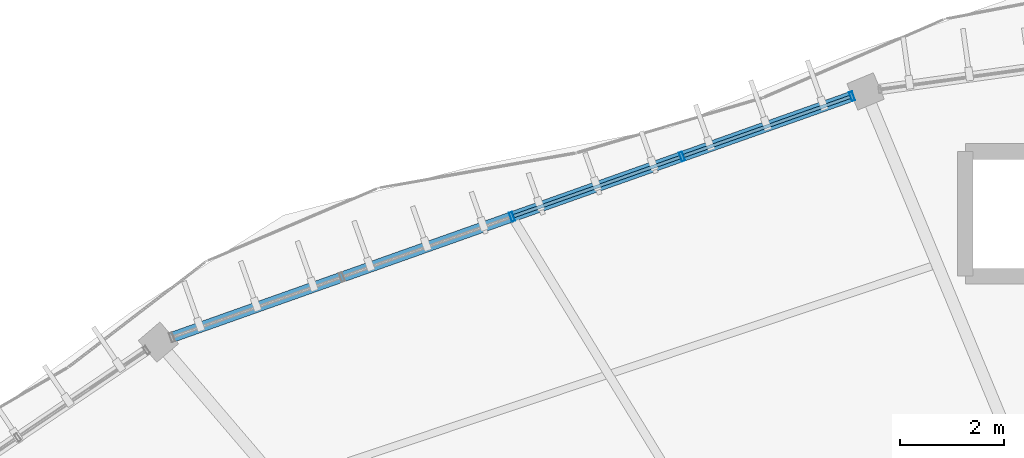
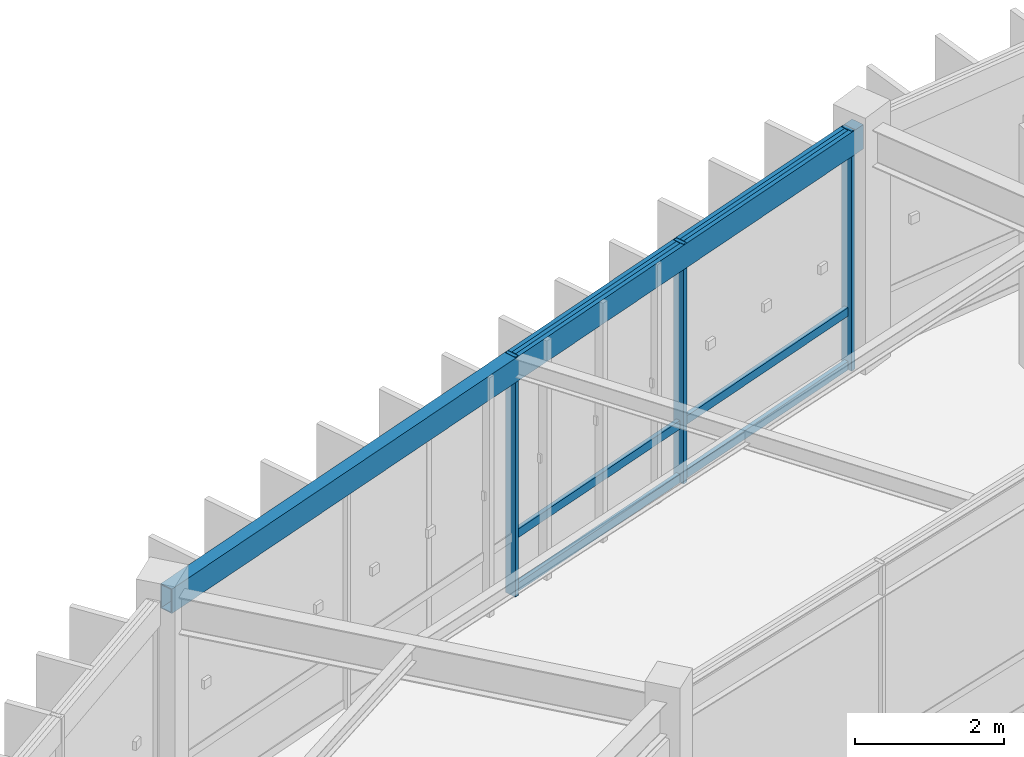
# One storey, part 32 of 79: 9 members, 1 beam, 1 element without a shape of its own.
"""IFC4 building model written with IfcOpenShell, lengths in metres."""

from ifc_helpers import new_model, si_unit, direction, frame, origin, origin_2d, place, context, subcontext, project, spatial, hollow_rectangle, extrude, material, material_profile, profile_set, type_object, element, aggregate, save


model = new_model("IFC4")

# Units and contexts
model_context = context("Model", 3, precision=1e-05, world=origin(), true_north=direction((0.0, 1.0)))
body_context = subcontext(model_context, "Body", "Model", "MODEL_VIEW")
ifc_project = project(units=[si_unit("LENGTHUNIT", "METRE"), si_unit("AREAUNIT", "SQUARE_METRE"), si_unit("VOLUMEUNIT", "CUBIC_METRE"), si_unit("PLANEANGLEUNIT", "RADIAN"), si_unit("MASSUNIT", "GRAM", prefix="KILO"), si_unit("THERMODYNAMICTEMPERATUREUNIT", "KELVIN"), si_unit("POWERUNIT", "WATT")], contexts=[model_context])

# Site, building, storey
site_placement = place(None, origin())
site = spatial("IfcSite", under=ifc_project, at=site_placement, CompositionType="ELEMENT")
building_placement = place(site_placement, origin())
building = spatial("IfcBuilding", under=site, at=building_placement, Name="Darbajah Civic Hall", CompositionType="ELEMENT")
storey_placement = place(building_placement, frame((0.0, 0.0, 22.199951171875)))
storey = spatial("IfcBuildingStorey", under=building, at=storey_placement, Name="L05", CompositionType="ELEMENT", Elevation=22.199951171875)

# Curtain wall, members
ifc_material_1 = material(Name="Anodised Bronze Aluminium and Low-E Glazing", Category="aluminium")
curtain_wall_type = type_object("IfcCurtainWallType", Name="Unitised Curtain Wall CW-80 13900x3900", PredefinedType="USERDEFINED", material=ifc_material_1)
curtain_wall_placement = place(storey_placement, origin())
curtain_wall = element("IfcCurtainWall", 1, at=curtain_wall_placement, inside=storey, type_object=curtain_wall_type, Name="L05 unitised curtain wall CW-V1O-L05-06", ObjectType="UNITISED CURTAIN WALL", PredefinedType="USERDEFINED")
ifc_material_2 = material(Name="Anodised Bronze Aluminium", Category="aluminium")
ifc_material_profile_1 = material_profile(ifc_material_2, hollow_rectangle(XDim=0.06494140625, YDim=0.179931640625, WallThickness=0.00390625, at=origin_2d()), Name="ALU MULLION 65x180")
ifc_profile_set_1 = profile_set([ifc_material_profile_1], Name="Anodised Bronze Aluminium")
member_type_1 = type_object("IfcMemberType", Name="ALU MULLION 65x180", PredefinedType="MULLION", material=ifc_profile_set_1)
member_1_placement = place(storey_placement, frame((69.322021484375, 116.9619140625, 0.0), z_axis=(0.0, 0.0, 1.0), x_axis=(-0.94252491309, -0.334135882844, 0.0)))
member_1 = element("IfcMember", 2, at=member_1_placement, type_object=member_type_1, Name="CW-V1O-L05-06 mullion 1", PredefinedType="MULLION", context=body_context, shape_type="SweptSolid", body=[
    extrude(hollow_rectangle(XDim=0.06494140625, YDim=0.179931640625, WallThickness=0.00390625, at=origin_2d()), origin(), (0.0, 0.0, 1.0), 3.920166015625),
])
member_2_placement = place(storey_placement, frame((66.05126953125, 115.802490234375, 0.0), z_axis=(0.0, 0.0, 1.0), x_axis=(-0.94252491309, -0.334135882844, 0.0)))
member_2 = element("IfcMember", 3, at=member_2_placement, type_object=member_type_1, Name="CW-V1O-L05-06 mullion 2", PredefinedType="MULLION", context=body_context, shape_type="SweptSolid", body=[
    extrude(hollow_rectangle(XDim=0.06494140625, YDim=0.179931640625, WallThickness=0.00390625, at=origin_2d()), origin(), (0.0, 0.0, 1.0), 3.920166015625),
])
member_3_placement = place(storey_placement, frame((62.780517578125, 114.643310546875, 0.0), z_axis=(0.0, 0.0, 1.0), x_axis=(-0.94252491309, -0.334135882844, 0.0)))
member_3 = element("IfcMember", 4, at=member_3_placement, type_object=member_type_1, Name="CW-V1O-L05-06 mullion 3", PredefinedType="MULLION", context=body_context, shape_type="SweptSolid", body=[
    extrude(hollow_rectangle(XDim=0.06494140625, YDim=0.179931640625, WallThickness=0.00390625, at=origin_2d()), origin(), (0.0, 0.0, 1.0), 3.920166015625),
])
ifc_material_profile_2 = material_profile(ifc_material_2, hollow_rectangle(XDim=0.06494140625, YDim=0.139892578125, WallThickness=0.00341796875, at=origin_2d()), Name="ALU TRANSOM 65x140")
ifc_profile_set_2 = profile_set([ifc_material_profile_2], Name="Anodised Bronze Aluminium")
member_type_2 = type_object("IfcMemberType", Name="ALU TRANSOM 65x140", PredefinedType="USERDEFINED", material=ifc_profile_set_2)
member_4_placement = place(storey_placement, frame((69.28662109375, 116.949462890625, 0.070068359375), z_axis=(-0.942538086228, -0.334098721951, 0.0), x_axis=(0.334098721951, -0.942538086228, 0.0)))
member_4 = element("IfcMember", 5, at=member_4_placement, type_object=member_type_2, Name="CW-V1O-L05-06 transom 1.1", ObjectType="TRANSOM", PredefinedType="USERDEFINED", context=body_context, shape_type="SweptSolid", body=[
    extrude(hollow_rectangle(XDim=0.06494140625, YDim=0.139892578125, WallThickness=0.00341796875, at=origin_2d()), origin(), (0.0, 0.0, 1.0), 3.39501953125),
])
member_5_placement = place(storey_placement, frame((69.28662109375, 116.949462890625, 0.949951171875), z_axis=(-0.942538086228, -0.334098721951, 0.0), x_axis=(0.334098721951, -0.942538086228, 0.0)))
member_5 = element("IfcMember", 6, at=member_5_placement, type_object=member_type_2, Name="CW-V1O-L05-06 transom 1.2", ObjectType="TRANSOM", PredefinedType="USERDEFINED", context=body_context, shape_type="SweptSolid", body=[
    extrude(hollow_rectangle(XDim=0.06494140625, YDim=0.139892578125, WallThickness=0.00341796875, at=origin_2d()), origin(), (0.0, 0.0, 1.0), 3.39501953125),
])
member_6_placement = place(storey_placement, frame((69.28662109375, 116.949462890625, 3.85009765625), z_axis=(-0.942538086228, -0.334098721951, 0.0), x_axis=(0.334098721951, -0.942538086228, 0.0)))
member_6 = element("IfcMember", 7, at=member_6_placement, type_object=member_type_2, Name="CW-V1O-L05-06 transom 1.3", ObjectType="TRANSOM", PredefinedType="USERDEFINED", context=body_context, shape_type="SweptSolid", body=[
    extrude(hollow_rectangle(XDim=0.06494140625, YDim=0.139892578125, WallThickness=0.00341796875, at=origin_2d()), origin(), (0.0, 0.0, 1.0), 3.39501953125),
])
member_7_placement = place(storey_placement, frame((66.01611328125, 115.7900390625, 0.070068359375), z_axis=(-0.942546112264, -0.334076078546, 0.0), x_axis=(0.334076078546, -0.942546112264, 0.0)))
member_7 = element("IfcMember", 8, at=member_7_placement, type_object=member_type_2, Name="CW-V1O-L05-06 transom 2.1", ObjectType="TRANSOM", PredefinedType="USERDEFINED", context=body_context, shape_type="SweptSolid", body=[
    extrude(hollow_rectangle(XDim=0.06494140625, YDim=0.139892578125, WallThickness=0.00341796875, at=origin_2d()), origin(), (0.0, 0.0, 1.0), 3.395263671875),
])
member_8_placement = place(storey_placement, frame((66.01611328125, 115.7900390625, 0.949951171875), z_axis=(-0.942546112264, -0.334076078546, 0.0), x_axis=(0.334076078546, -0.942546112264, 0.0)))
member_8 = element("IfcMember", 9, at=member_8_placement, type_object=member_type_2, Name="CW-V1O-L05-06 transom 2.2", ObjectType="TRANSOM", PredefinedType="USERDEFINED", context=body_context, shape_type="SweptSolid", body=[
    extrude(hollow_rectangle(XDim=0.06494140625, YDim=0.139892578125, WallThickness=0.00341796875, at=origin_2d()), origin(), (0.0, 0.0, 1.0), 3.395263671875),
])
member_9_placement = place(storey_placement, frame((66.01611328125, 115.7900390625, 3.85009765625), z_axis=(-0.942546112264, -0.334076078546, 0.0), x_axis=(0.334076078546, -0.942546112264, 0.0)))
member_9 = element("IfcMember", 10, at=member_9_placement, type_object=member_type_2, Name="CW-V1O-L05-06 transom 2.3", ObjectType="TRANSOM", PredefinedType="USERDEFINED", context=body_context, shape_type="SweptSolid", body=[
    extrude(hollow_rectangle(XDim=0.06494140625, YDim=0.139892578125, WallThickness=0.00341796875, at=origin_2d()), origin(), (0.0, 0.0, 1.0), 3.395263671875),
])
aggregate(curtain_wall, [member_1, member_2, member_3, member_4, member_5, member_6, member_7, member_8, member_9])

# Beam
ifc_material_3 = material(Name="Steel S355JR", Category="steel")
ifc_material_profile_3 = material_profile(ifc_material_3, hollow_rectangle(XDim=0.199951171875, YDim=0.39990234375, WallThickness=0.013916015625, at=origin_2d()), Name="RHS 400x200x14")
ifc_profile_set_3 = profile_set([ifc_material_profile_3], Name="Steel S355JR")
beam_type = type_object("IfcBeamType", Name="RHS 400x200x14", PredefinedType="SPANDREL", material=ifc_profile_set_3)
beam_placement = place(storey_placement, frame((69.5078125, 117.027587890625, 3.719970703125), z_axis=(-0.942545228917, -0.334078570768, 0.0), x_axis=(0.334078570768, -0.942545228917, 0.0)))
element("IfcBeam", 11, at=beam_placement, inside=storey, type_object=beam_type, Name="L05 beam SP-RHS400", PredefinedType="SPANDREL", context=body_context, shape_type="SweptSolid", body=[
    extrude(hollow_rectangle(XDim=0.199951171875, YDim=0.39990234375, WallThickness=0.013916015625, at=origin_2d()), origin(), (0.0, 0.0, 1.0), 14.2744140625),
])

save(model, "model.ifc")
